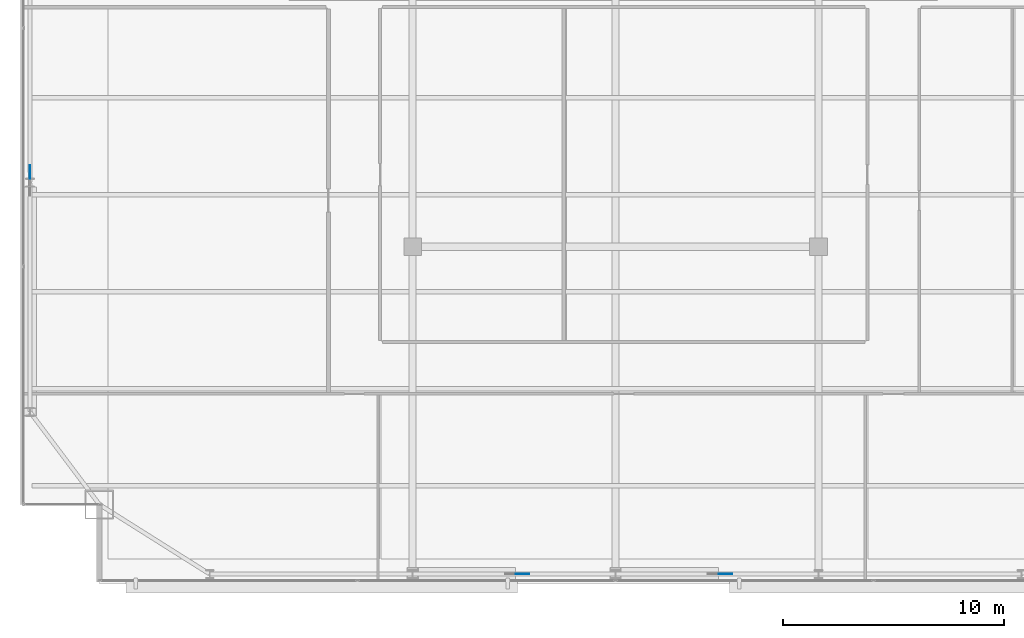
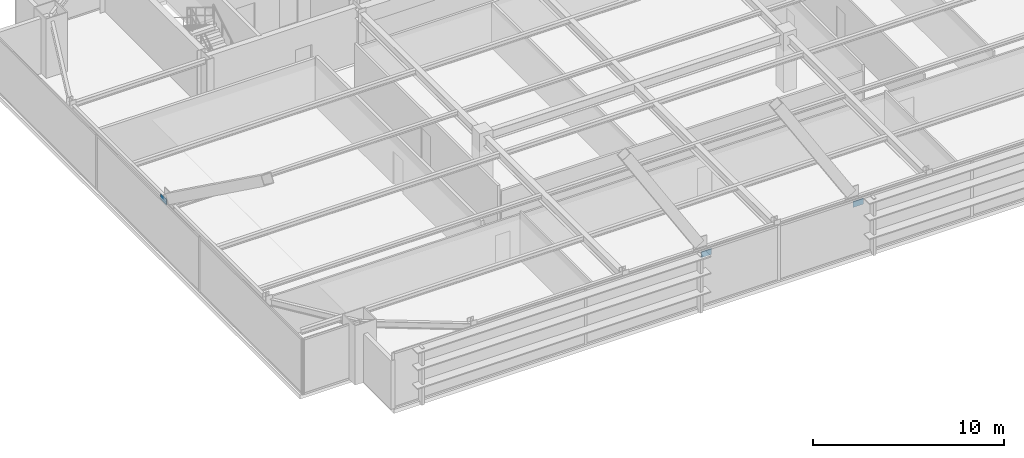
# One storey, part 24 of 30: 3 plates.
"""IFC4 building model written with IfcOpenShell, lengths in metres."""

from ifc_helpers import new_model, si_unit, direction, frame, origin, origin_2d, place, context, subcontext, project, spatial, rectangle, extrude, source, transform, mapped, material, layer, layer_set, type_object, type_shapes, element, save


model = new_model("IFC4")

# Units and contexts
model_context = context("Model", 3, precision=1e-05, world=origin(), true_north=direction((0.0, 1.0)))
body_context = subcontext(model_context, "Body", "Model", "MODEL_VIEW")
ifc_project = project(units=[si_unit("LENGTHUNIT", "METRE"), si_unit("AREAUNIT", "SQUARE_METRE"), si_unit("VOLUMEUNIT", "CUBIC_METRE"), si_unit("PLANEANGLEUNIT", "RADIAN"), si_unit("MASSUNIT", "GRAM", prefix="KILO")], contexts=[model_context])

# Site, building, storey
site_placement = place(None, origin())
site = spatial("IfcSite", under=ifc_project, at=site_placement, CompositionType="ELEMENT")
building_placement = place(site_placement, origin())
building = spatial("IfcBuilding", under=site, at=building_placement, Name="Varnel Quay Broadcast Tower", CompositionType="ELEMENT")
storey_placement = place(building_placement, frame((0.0, 0.0, 149.60009765625)))
storey = spatial("IfcBuildingStorey", under=building, at=storey_placement, Name="L36", CompositionType="ELEMENT", Elevation=149.60009765625)

# Plates
ifc_material = material(Name="Structural Steel CSA G40.21 350WT", Category="steel")
ifc_layer = layer(ifc_material, 0.031982421875, Name="Structural Steel CSA G40.21 350WT")
ifc_layer_set = layer_set([ifc_layer], Name="Structural Steel CSA G40.21 350WT")
plate_type = type_object("IfcPlateType", Name="Plate_EndCap", PredefinedType="USERDEFINED", material=ifc_layer_set)
shared_shape = source(origin(), body_context, "Body", "SweptSolid", [
    extrude(rectangle(XDim=0.6201171875, YDim=0.031982421875, at=origin_2d()), origin(), (0.0, 0.0, 1.0), 0.3798828125),
])
type_shapes(plate_type, [shared_shape])
for number, where, z_axis, x_axis, name in (
    (1, (29.788818359375, 7.64990234375, 2.8544921875), (0.0, 0.0, 1.0), (1.0, 0.0, 0.0), "Zone 3 Mega-Brace S-C1T1 Diag B1 End Connection Plate P1"),
    (2, (38.989013671875, 7.64990234375, 2.8544921875), (0.0, 0.0, 1.0), (1.0, 0.0, 0.0), "Zone 3 Mega-Brace S-C2T1 Diag B1 End Connection Plate P1"),
    (3, (7.449951171875, 25.8837890625, 3.062255859375), (0.0, 0.0, 1.0), (0.0, 1.0, 0.0), "Zone 3 Mega-Brace W-FT1 Diag B1 End Connection Plate P1"),
):
    element("IfcPlate", number, at=place(storey_placement, frame(where, z_axis=z_axis, x_axis=x_axis)), inside=storey, type_object=plate_type, Name=name, ObjectType="CAP_PLATE", PredefinedType="USERDEFINED", context=body_context, shape_type="MappedRepresentation", body=[
        mapped(shared_shape, transform((0.0, 0.0, 0.0), x_axis=(1.0, 0.0, 0.0), y_axis=(0.0, 1.0, 0.0), z_axis=(0.0, 0.0, 1.0), scale=1.0)),
    ])

save(model, "model.ifc")
